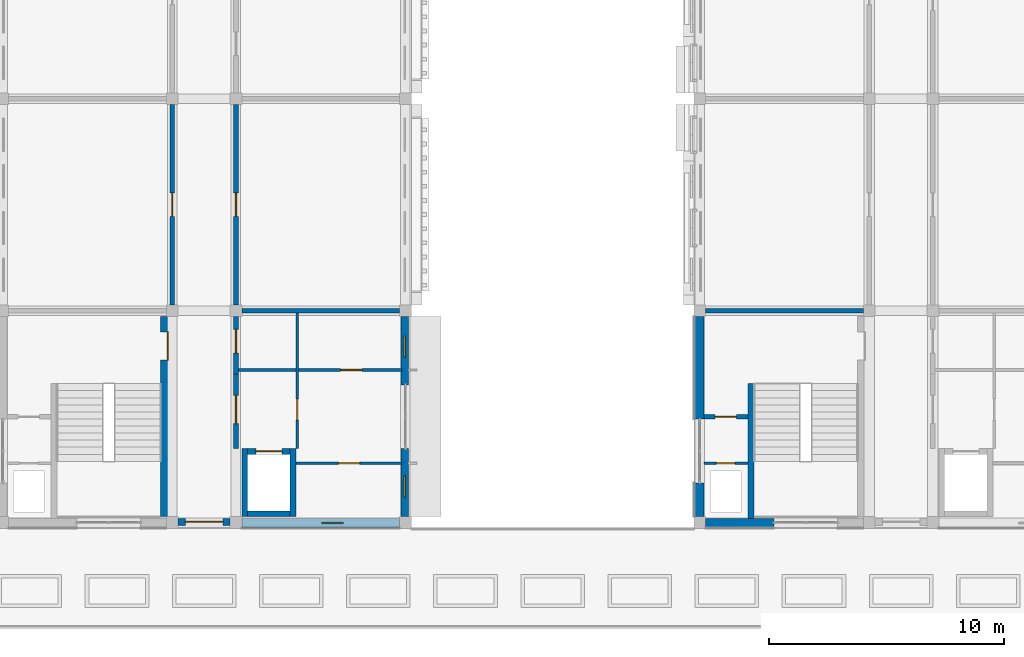
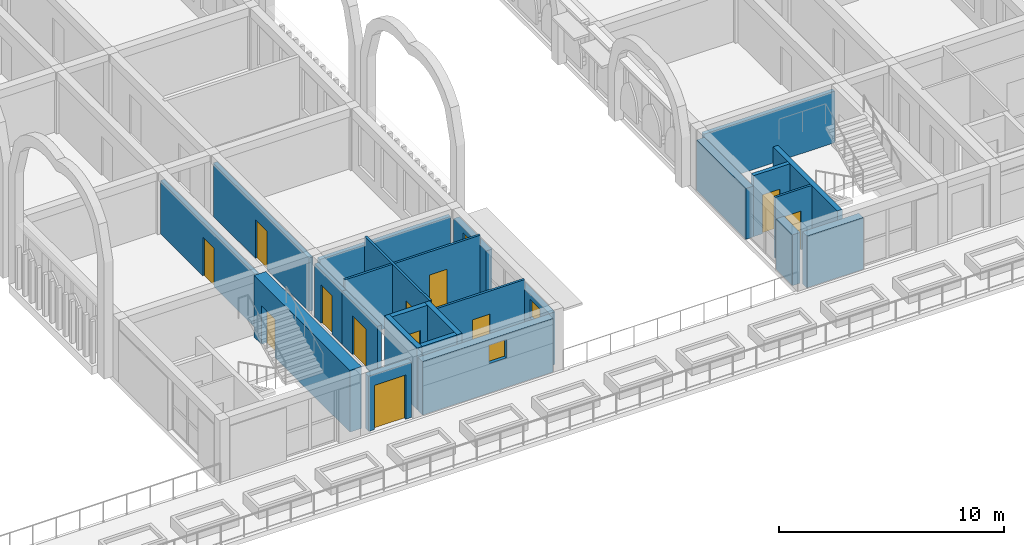
# One storey, part 54 of 82: 24 walls, 12 doors, 3 windows, 15 openings.
"""IFC4 building model written with IfcOpenShell, lengths in metres."""

from ifc_helpers import new_model, si_unit, direction, frame, frame_2d, origin, place, context, subcontext, project, spatial, rectangle, extrude, material, layer, layer_set, type_object, element, fill, save


model = new_model("IFC4")

# Units and contexts
model_context = context("Model", 3, precision=1e-05, world=origin(), true_north=direction((0.0, 1.0)))
body_context = subcontext(model_context, "Body", "Model", "MODEL_VIEW")
ifc_project = project(units=[si_unit("LENGTHUNIT", "METRE"), si_unit("AREAUNIT", "SQUARE_METRE"), si_unit("VOLUMEUNIT", "CUBIC_METRE"), si_unit("PLANEANGLEUNIT", "RADIAN"), si_unit("MASSUNIT", "GRAM", prefix="KILO")], contexts=[model_context])

# Site, building, storey
site_placement = place(None, origin())
site = spatial("IfcSite", under=ifc_project, at=site_placement, CompositionType="ELEMENT")
building_placement = place(site_placement, origin())
building = spatial("IfcBuilding", under=site, at=building_placement, Name="Elbe Cascade School", CompositionType="ELEMENT")
storey_placement = place(building_placement, frame((0.0, 0.0, 4.5)))
storey = spatial("IfcBuildingStorey", under=building, at=storey_placement, Name="L01", CompositionType="ELEMENT", Elevation=4.5)

# Wall, opening, door
ifc_material_1 = material(Name="Masonry - lime-sand block, plastered", Category="masonry")
ifc_layer_1 = layer(ifc_material_1, 0.199951171875)
ifc_layer_set_1 = layer_set([ifc_layer_1], Name="Masonry - lime-sand block, plastered")
wall_type_1 = type_object("IfcWallType", Name="Bar corridor wall lime-sand block 200 EI 30", PredefinedType="PARTITIONING", material=ifc_layer_set_1)
wall_1_placement = place(storey_placement, frame((138.10009765625, 12.300048828125, 0.0), z_axis=(0.0, 0.0, 1.0), x_axis=(0.0, -1.0, 0.0)))
wall_1 = element("IfcWall", 1, at=wall_1_placement, inside=storey, type_object=wall_type_1, Name="Bar corridor wall lime-sand block 200 EI 30", PredefinedType="PARTITIONING", context=body_context, shape_type="SweptSolid", body=[
    extrude(rectangle(XDim=3.150146484375, YDim=0.199951171875, at=frame_2d((1.5751953125, 0.0))), origin(), (0.0, 0.0, 1.0), 2.89990234375),
])
opening_1_placement = place(wall_1_placement, frame((0.89990234375, 0.0, 0.0)))
opening_1 = element("IfcOpeningElement", 2, at=opening_1_placement, cuts=wall_1, Name="Opening D1.061", PredefinedType="OPENING", context=body_context, shape_type="SweptSolid", body=[
    extrude(rectangle(XDim=1.199951171875, YDim=2.10009765625, at=frame_2d((0.60009765625, 1.050048828125))), frame((0.0, 0.10986328125, 0.0), z_axis=(0.0, -1.0, 0.0), x_axis=(1.0, 0.0, 0.0)), (0.0, 0.0, 1.0), 0.219970703125),
])
ifc_material_2 = material(Name="Timber door leaf, fire-resisting and smoke-tight, steel frame", Category="steel")
door_type_1 = type_object("IfcDoorType", Name="Bar door FD30S 1200x2100", OperationType="NOTDEFINED", PredefinedType="DOOR", material=ifc_material_2)
door_1_placement = place(opening_1_placement, origin())
door_1 = element("IfcDoor", 3, at=door_1_placement, inside=storey, type_object=door_type_1, Name="Door C1.06", OperationType="SINGLE_SWING_LEFT", OverallHeight=2.10009765625, OverallWidth=1.199951171875, PredefinedType="DOOR", context=body_context, shape_type="SweptSolid", body=[
    extrude(rectangle(XDim=1.199951171875, YDim=2.10009765625, at=frame_2d((0.60009765625, 1.050048828125))), frame((0.0, 0.02490234375, 0.0), z_axis=(0.0, -1.0, 0.0), x_axis=(1.0, 0.0, 0.0)), (0.0, 0.0, 1.0), 0.050048828125),
])
fill(opening_1, door_1)

wall_2_placement = place(storey_placement, frame((138.10009765625, 12.300048828125, 0.0), z_axis=(0.0, 0.0, 1.0), x_axis=(0.0, 1.0, 0.0)))
wall_2 = element("IfcWall", 4, at=wall_2_placement, inside=storey, type_object=wall_type_1, Name="Bar corridor wall lime-sand block 200 EI 30", PredefinedType="PARTITIONING", context=body_context, shape_type="SweptSolid", body=[
    extrude(rectangle(XDim=2.449951171875, YDim=0.199951171875, at=frame_2d((1.22509765625, 0.0))), origin(), (0.0, 0.0, 1.0), 2.89990234375),
])
opening_2_placement = place(wall_2_placement, frame((0.89990234375, 0.0, 0.0)))
opening_2 = element("IfcOpeningElement", 5, at=opening_2_placement, cuts=wall_2, Name="Opening D1.065", PredefinedType="OPENING", context=body_context, shape_type="SweptSolid", body=[
    extrude(rectangle(XDim=1.0, YDim=2.10009765625, at=frame_2d((0.5, 1.050048828125))), frame((0.0, 0.10986328125, 0.0), z_axis=(0.0, -1.0, 0.0), x_axis=(1.0, 0.0, 0.0)), (0.0, 0.0, 1.0), 0.219970703125),
])
ifc_material_3 = material(Name="Timber door leaf, fire-resisting, steel frame", Category="steel")
door_type_2 = type_object("IfcDoorType", Name="Bar door FD30 1000x2100", OperationType="NOTDEFINED", PredefinedType="DOOR", material=ifc_material_3)
door_2_placement = place(opening_2_placement, origin())
door_2 = element("IfcDoor", 6, at=door_2_placement, inside=storey, type_object=door_type_2, Name="Door C1.10", OperationType="SINGLE_SWING_RIGHT", OverallHeight=2.10009765625, OverallWidth=1.0, PredefinedType="DOOR", context=body_context, shape_type="SweptSolid", body=[
    extrude(rectangle(XDim=1.0, YDim=2.10009765625, at=frame_2d((0.5, 1.050048828125))), frame((0.0, 0.02490234375, 0.0), z_axis=(0.0, -1.0, 0.0), x_axis=(1.0, 0.0, 0.0)), (0.0, 0.0, 1.0), 0.050048828125),
])
fill(opening_2, door_2)

wall_3_placement = place(storey_placement, frame((135.39990234375, 15.25, 0.0), z_axis=(0.0, 0.0, 1.0), x_axis=(0.0, 1.0, 0.0)))
wall_3 = element("IfcWall", 7, at=wall_3_placement, inside=storey, type_object=wall_type_1, Name="Bar corridor wall lime-sand block 200 EI 30", PredefinedType="PARTITIONING", context=body_context, shape_type="SweptSolid", body=[
    extrude(rectangle(XDim=8.5, YDim=0.199951171875, at=frame_2d((4.25, 0.0))), origin(), (0.0, 0.0, 1.0), 2.89990234375),
])
opening_3_placement = place(wall_3_placement, frame((3.75, 0.0, 0.0)))
opening_3 = element("IfcOpeningElement", 8, at=opening_3_placement, cuts=wall_3, Name="Opening D1.066", PredefinedType="OPENING", context=body_context, shape_type="SweptSolid", body=[
    extrude(rectangle(XDim=1.0, YDim=2.10009765625, at=frame_2d((0.5, 1.050048828125))), frame((0.0, 0.10986328125, 0.0), z_axis=(0.0, -1.0, 0.0), x_axis=(1.0, 0.0, 0.0)), (0.0, 0.0, 1.0), 0.219970703125),
])
door_3_placement = place(opening_3_placement, origin())
door_3 = element("IfcDoor", 9, at=door_3_placement, inside=storey, type_object=door_type_2, Name="Door C1.19", OperationType="SINGLE_SWING_RIGHT", OverallHeight=2.10009765625, OverallWidth=1.0, PredefinedType="DOOR", context=body_context, shape_type="SweptSolid", body=[
    extrude(rectangle(XDim=1.0, YDim=2.10009765625, at=frame_2d((0.5, 1.050048828125))), frame((0.0, 0.02490234375, 0.0), z_axis=(0.0, -1.0, 0.0), x_axis=(1.0, 0.0, 0.0)), (0.0, 0.0, 1.0), 0.050048828125),
])
fill(opening_3, door_3)

wall_4_placement = place(storey_placement, frame((138.10009765625, 23.75, 0.0), z_axis=(0.0, 0.0, 1.0), x_axis=(0.0, -1.0, 0.0)))
wall_4 = element("IfcWall", 10, at=wall_4_placement, inside=storey, type_object=wall_type_1, Name="Bar corridor wall lime-sand block 200 EI 30", PredefinedType="PARTITIONING", context=body_context, shape_type="SweptSolid", body=[
    extrude(rectangle(XDim=8.5, YDim=0.199951171875, at=frame_2d((4.25, 0.0))), origin(), (0.0, 0.0, 1.0), 2.89990234375),
])
opening_4_placement = place(wall_4_placement, frame((3.75, 0.0, 0.0)))
opening_4 = element("IfcOpeningElement", 11, at=opening_4_placement, cuts=wall_4, Name="Opening D1.067", PredefinedType="OPENING", context=body_context, shape_type="SweptSolid", body=[
    extrude(rectangle(XDim=1.0, YDim=2.10009765625, at=frame_2d((0.5, 1.050048828125))), frame((0.0, 0.10986328125, 0.0), z_axis=(0.0, -1.0, 0.0), x_axis=(1.0, 0.0, 0.0)), (0.0, 0.0, 1.0), 0.219970703125),
])
door_4_placement = place(opening_4_placement, origin())
door_4 = element("IfcDoor", 12, at=door_4_placement, inside=storey, type_object=door_type_2, Name="Door C1.24", OperationType="SINGLE_SWING_LEFT", OverallHeight=2.10009765625, OverallWidth=1.0, PredefinedType="DOOR", context=body_context, shape_type="SweptSolid", body=[
    extrude(rectangle(XDim=1.0, YDim=2.10009765625, at=frame_2d((0.5, 1.050048828125))), frame((0.0, 0.02490234375, 0.0), z_axis=(0.0, -1.0, 0.0), x_axis=(1.0, 0.0, 0.0)), (0.0, 0.0, 1.0), 0.050048828125),
])
fill(opening_4, door_4)

ifc_material_4 = material(Name="Masonry - lime-sand block, plastered", Category="masonry")
ifc_layer_2 = layer(ifc_material_4, 0.114990234375)
ifc_layer_set_2 = layer_set([ifc_layer_2], Name="Masonry - lime-sand block, plastered")
wall_type_2 = type_object("IfcWallType", Name="Bar light partition wall lime-sand block 115", PredefinedType="PARTITIONING", material=ifc_layer_set_2)
wall_5_placement = place(storey_placement, frame((140.70751953125, 14.89990234375, 0.0), z_axis=(0.0, 0.0, 1.0), x_axis=(0.0, -1.0, 0.0)))
wall_5 = element("IfcWall", 13, at=wall_5_placement, inside=storey, type_object=wall_type_2, Name="Bar light partition wall lime-sand block 115", PredefinedType="PARTITIONING", context=body_context, shape_type="SweptSolid", body=[
    extrude(rectangle(XDim=5.75, YDim=0.114990234375, at=frame_2d((2.875, 0.0))), origin(), (0.0, 0.0, 1.0), 3.35009765625),
])
opening_5_placement = place(wall_5_placement, frame((3.64990234375, 0.0, 0.0)))
opening_5 = element("IfcOpeningElement", 14, at=opening_5_placement, cuts=wall_5, Name="Opening D1.062", PredefinedType="OPENING", context=body_context, shape_type="SweptSolid", body=[
    extrude(rectangle(XDim=0.89990234375, YDim=2.10009765625, at=frame_2d((0.449951171875, 1.050048828125))), frame((0.0, 0.0673828125, 0.0), z_axis=(0.0, -1.0, 0.0), x_axis=(1.0, 0.0, 0.0)), (0.0, 0.0, 1.0), 0.135009765625),
])
ifc_material_5 = material(Name="Timber door leaf, steel frame", Category="steel")
door_type_3 = type_object("IfcDoorType", Name="Bar door 900x2100", OperationType="NOTDEFINED", PredefinedType="DOOR", material=ifc_material_5)
door_5_placement = place(opening_5_placement, origin())
door_5 = element("IfcDoor", 15, at=door_5_placement, inside=storey, type_object=door_type_3, Name="Door C1.07", OperationType="SINGLE_SWING_LEFT", OverallHeight=2.10009765625, OverallWidth=0.89990234375, PredefinedType="DOOR", context=body_context, shape_type="SweptSolid", body=[
    extrude(rectangle(XDim=0.89990234375, YDim=2.10009765625, at=frame_2d((0.449951171875, 1.050048828125))), frame((0.0, 0.02490234375, 0.0), z_axis=(0.0, -1.0, 0.0), x_axis=(1.0, 0.0, 0.0)), (0.0, 0.0, 1.0), 0.050048828125),
])
fill(opening_5, door_5)

wall_6_placement = place(storey_placement, frame((145.14990234375, 8.52001953125, 0.0), z_axis=(0.0, 0.0, 1.0), x_axis=(-1.0, 0.0, 0.0)))
wall_6 = element("IfcWall", 16, at=wall_6_placement, inside=storey, type_object=wall_type_2, Name="Bar light partition wall lime-sand block 115", PredefinedType="PARTITIONING", context=body_context, shape_type="SweptSolid", body=[
    extrude(rectangle(XDim=4.5, YDim=0.114990234375, at=frame_2d((2.25, 0.0))), origin(), (0.0, 0.0, 1.0), 3.35009765625),
])
opening_6_placement = place(wall_6_placement, frame((1.800048828125, 0.0, 0.0)))
opening_6 = element("IfcOpeningElement", 17, at=opening_6_placement, cuts=wall_6, Name="Opening D1.058", PredefinedType="OPENING", context=body_context, shape_type="SweptSolid", body=[
    extrude(rectangle(XDim=0.89990234375, YDim=2.10009765625, at=frame_2d((0.449951171875, 1.050048828125))), frame((0.0, 0.0673828125, 0.0), z_axis=(0.0, -1.0, 0.0), x_axis=(1.0, 0.0, 0.0)), (0.0, 0.0, 1.0), 0.135009765625),
])
door_6_placement = place(opening_6_placement, origin())
door_6 = element("IfcDoor", 18, at=door_6_placement, inside=storey, type_object=door_type_3, Name="Door C1.08", OperationType="SINGLE_SWING_LEFT", OverallHeight=2.10009765625, OverallWidth=0.89990234375, PredefinedType="DOOR", context=body_context, shape_type="SweptSolid", body=[
    extrude(rectangle(XDim=0.89990234375, YDim=2.10009765625, at=frame_2d((0.449951171875, 1.050048828125))), frame((0.0, 0.02490234375, 0.0), z_axis=(0.0, -1.0, 0.0), x_axis=(1.0, 0.0, 0.0)), (0.0, 0.0, 1.0), 0.050048828125),
])
fill(opening_6, door_6)

wall_7_placement = place(storey_placement, frame((138.199951171875, 12.47998046875, 0.0), z_axis=(0.0, 0.0, 1.0), x_axis=(1.0, 0.0, 0.0)))
wall_7 = element("IfcWall", 19, at=wall_7_placement, inside=storey, type_object=wall_type_2, Name="Bar light partition wall lime-sand block 115", PredefinedType="PARTITIONING", context=body_context, shape_type="SweptSolid", body=[
    extrude(rectangle(XDim=6.949951171875, YDim=0.114990234375, at=frame_2d((3.47509765625, 0.0))), origin(), (0.0, 0.0, 1.0), 3.35009765625),
])
opening_7_placement = place(wall_7_placement, frame((4.35009765625, 0.0, 0.0)))
opening_7 = element("IfcOpeningElement", 20, at=opening_7_placement, cuts=wall_7, Name="Opening D1.063", PredefinedType="OPENING", context=body_context, shape_type="SweptSolid", body=[
    extrude(rectangle(XDim=0.89990234375, YDim=2.10009765625, at=frame_2d((0.449951171875, 1.050048828125))), frame((0.0, 0.0673828125, 0.0), z_axis=(0.0, -1.0, 0.0), x_axis=(1.0, 0.0, 0.0)), (0.0, 0.0, 1.0), 0.135009765625),
])
door_7_placement = place(opening_7_placement, origin())
door_7 = element("IfcDoor", 21, at=door_7_placement, inside=storey, type_object=door_type_3, Name="Door C1.09", OperationType="SINGLE_SWING_RIGHT", OverallHeight=2.10009765625, OverallWidth=0.89990234375, PredefinedType="DOOR", context=body_context, shape_type="SweptSolid", body=[
    extrude(rectangle(XDim=0.89990234375, YDim=2.10009765625, at=frame_2d((0.449951171875, 1.050048828125))), frame((0.0, 0.02490234375, 0.0), z_axis=(0.0, -1.0, 0.0), x_axis=(1.0, 0.0, 0.0)), (0.0, 0.0, 1.0), 0.050048828125),
])
fill(opening_7, door_7)

wall_8_placement = place(storey_placement, frame((159.85009765625, 8.52001953125, 0.0), z_axis=(0.0, 0.0, 1.0), x_axis=(-1.0, 0.0, 0.0)))
wall_8 = element("IfcWall", 22, at=wall_8_placement, inside=storey, type_object=wall_type_2, Name="Bar light partition wall lime-sand block 115", PredefinedType="PARTITIONING", context=body_context, shape_type="SweptSolid", body=[
    extrude(rectangle(XDim=1.8701171875, YDim=0.114990234375, at=frame_2d((0.93505859375, 0.0))), origin(), (0.0, 0.0, 1.0), 3.300048828125),
])
opening_8_placement = place(wall_8_placement, frame((0.550048828125, 0.0, 0.0)))
opening_8 = element("IfcOpeningElement", 23, at=opening_8_placement, cuts=wall_8, Name="Opening D1.084", PredefinedType="OPENING", context=body_context, shape_type="SweptSolid", body=[
    extrude(rectangle(XDim=0.800048828125, YDim=2.10009765625, at=frame_2d((0.39990234375, 1.050048828125))), frame((0.0, 0.0673828125, 0.0), z_axis=(0.0, -1.0, 0.0), x_axis=(1.0, 0.0, 0.0)), (0.0, 0.0, 1.0), 0.135009765625),
])
ifc_material_6 = material(Name="Timber door leaf, steel frame", Category="steel")
door_type_4 = type_object("IfcDoorType", Name="Bar door 800x2100", OperationType="NOTDEFINED", PredefinedType="DOOR", material=ifc_material_6)
door_8_placement = place(opening_8_placement, origin())
door_8 = element("IfcDoor", 24, at=door_8_placement, inside=storey, type_object=door_type_4, Name="Door D1.05", OperationType="SINGLE_SWING_LEFT", OverallHeight=2.10009765625, OverallWidth=0.800048828125, PredefinedType="DOOR", context=body_context, shape_type="SweptSolid", body=[
    extrude(rectangle(XDim=0.800048828125, YDim=2.10009765625, at=frame_2d((0.39990234375, 1.050048828125))), frame((0.0, 0.02490234375, 0.0), z_axis=(0.0, -1.0, 0.0), x_axis=(1.0, 0.0, 0.0)), (0.0, 0.0, 1.0), 0.050048828125),
])
fill(opening_8, door_8)

# Walls
ifc_material_7 = material(Name="Masonry - lime-sand block, plastered", Category="masonry")
ifc_layer_3 = layer(ifc_material_7, 0.199951171875)
ifc_layer_set_3 = layer_set([ifc_layer_3], Name="Masonry - lime-sand block, plastered")
wall_type_3 = type_object("IfcWallType", Name="Bar partition wall lime-sand block 200", PredefinedType="PARTITIONING", material=ifc_layer_set_3)
wall_9_placement = place(storey_placement, frame((138.35009765625, 15.0, 0.0), z_axis=(0.0, 0.0, 1.0), x_axis=(1.0, 0.0, 0.0)))
element("IfcWall", 25, at=wall_9_placement, inside=storey, type_object=wall_type_3, Name="Bar partition wall lime-sand block 200", PredefinedType="PARTITIONING", context=body_context, shape_type="SweptSolid", body=[
    extrude(rectangle(XDim=6.699951171875, YDim=0.199951171875, at=frame_2d((3.35009765625, 0.0))), origin(), (0.0, 0.0, 1.0), 2.89990234375),
])
ifc_material_8 = material(Name="Concrete C30/37", Category="concrete")
ifc_layer_4 = layer(ifc_material_8, 0.25)
ifc_layer_set_4 = layer_set([ifc_layer_4], Name="Concrete C30/37")
wall_type_4 = type_object("IfcWallType", Name="Bar stair core wall RC 250", PredefinedType="SOLIDWALL", material=ifc_layer_set_4)
wall_10_placement = place(storey_placement, frame((159.97509765625, 6.179931640625, 0.0), z_axis=(0.0, 0.0, 1.0), x_axis=(0.0, 1.0, 0.0)))
element("IfcWall", 26, at=wall_10_placement, inside=storey, type_object=wall_type_4, Name="Bar stair core wall RC 250", PredefinedType="SOLIDWALL", context=body_context, shape_type="SweptSolid", body=[
    extrude(rectangle(XDim=5.719970703125, YDim=0.25, at=frame_2d((2.85986328125, 0.0))), origin(), (0.0, 0.0, 1.0), 3.300048828125),
])

# Wall, opening, door
ifc_material_9 = material(Name="Concrete C30/37", Category="concrete")
ifc_layer_5 = layer(ifc_material_9, 0.60009765625)
ifc_layer_set_5 = layer_set([ifc_layer_5], Name="Concrete C30/37")
wall_type_5 = type_object("IfcWallType", Name="Bar stair core wall RC 600", PredefinedType="SOLIDWALL", material=ifc_layer_set_5)
wall_11_placement = place(storey_placement, frame((135.199951171875, 6.25, 0.0), z_axis=(0.0, 0.0, 1.0), x_axis=(0.0, 1.0, 0.0)))
wall_11 = element("IfcWall", 27, at=wall_11_placement, inside=storey, type_object=wall_type_5, Name="Bar stair core wall RC 600", PredefinedType="SOLIDWALL", context=body_context, shape_type="SweptSolid", body=[
    extrude(rectangle(XDim=8.5, YDim=0.60009765625, at=frame_2d((4.25, 0.0))), origin(), (0.0, 0.0, 1.0), 3.35009765625),
])
opening_9_placement = place(wall_11_placement, frame((6.64990234375, 0.0, 0.0)))
opening_9 = element("IfcOpeningElement", 28, at=opening_9_placement, cuts=wall_11, Name="Opening D1.064", PredefinedType="OPENING", context=body_context, shape_type="SweptSolid", body=[
    extrude(rectangle(XDim=1.199951171875, YDim=2.10009765625, at=frame_2d((0.60009765625, 1.050048828125))), frame((0.0, 0.31005859375, 0.0), z_axis=(0.0, -1.0, 0.0), x_axis=(1.0, 0.0, 0.0)), (0.0, 0.0, 1.0), 0.6201171875),
])
door_9_placement = place(opening_9_placement, origin())
door_9 = element("IfcDoor", 29, at=door_9_placement, inside=storey, type_object=door_type_1, Name="Door C1.03", OperationType="SINGLE_SWING_RIGHT", OverallHeight=2.10009765625, OverallWidth=1.199951171875, PredefinedType="DOOR", context=body_context, shape_type="SweptSolid", body=[
    extrude(rectangle(XDim=1.199951171875, YDim=2.10009765625, at=frame_2d((0.60009765625, 1.050048828125))), frame((0.0, 0.02490234375, 0.0), z_axis=(0.0, -1.0, 0.0), x_axis=(1.0, 0.0, 0.0)), (0.0, 0.0, 1.0), 0.050048828125),
])
fill(opening_9, door_9)

ifc_material_10 = material(Name="Concrete C30/37", Category="concrete")
ifc_layer_6 = layer(ifc_material_10, 0.199951171875)
ifc_layer_set_6 = layer_set([ifc_layer_6], Name="Concrete C30/37")
wall_type_6 = type_object("IfcWallType", Name="Bar stair lobby wall RC 200", PredefinedType="SOLIDWALL", material=ifc_layer_set_6)
wall_12_placement = place(storey_placement, frame((159.85009765625, 10.5, 0.0), z_axis=(0.0, 0.0, 1.0), x_axis=(-1.0, 0.0, 0.0)))
wall_12 = element("IfcWall", 30, at=wall_12_placement, inside=storey, type_object=wall_type_6, Name="Bar stair lobby wall RC 200", PredefinedType="SOLIDWALL", context=body_context, shape_type="SweptSolid", body=[
    extrude(rectangle(XDim=1.8701171875, YDim=0.199951171875, at=frame_2d((0.93505859375, 0.0))), origin(), (0.0, 0.0, 1.0), 3.300048828125),
])
opening_10_placement = place(wall_12_placement, frame((0.5, 0.0, 0.0)))
opening_10 = element("IfcOpeningElement", 31, at=opening_10_placement, cuts=wall_12, Name="Opening D1.087", PredefinedType="OPENING", context=body_context, shape_type="SweptSolid", body=[
    extrude(rectangle(XDim=0.89990234375, YDim=2.10009765625, at=frame_2d((0.449951171875, 1.050048828125))), frame((0.0, 0.10986328125, 0.0), z_axis=(0.0, -1.0, 0.0), x_axis=(1.0, 0.0, 0.0)), (0.0, 0.0, 1.0), 0.219970703125),
])
ifc_material_11 = material(Name="Timber door leaf, fire-resisting and smoke-tight, steel frame", Category="steel")
door_type_5 = type_object("IfcDoorType", Name="Bar door FD30S 900x2100", OperationType="NOTDEFINED", PredefinedType="DOOR", material=ifc_material_11)
door_10_placement = place(opening_10_placement, origin())
door_10 = element("IfcDoor", 32, at=door_10_placement, inside=storey, type_object=door_type_5, Name="Door D1.04", OperationType="SINGLE_SWING_RIGHT", OverallHeight=2.10009765625, OverallWidth=0.89990234375, PredefinedType="DOOR", context=body_context, shape_type="SweptSolid", body=[
    extrude(rectangle(XDim=0.89990234375, YDim=2.10009765625, at=frame_2d((0.449951171875, 1.050048828125))), frame((0.0, 0.02490234375, 0.0), z_axis=(0.0, -1.0, 0.0), x_axis=(1.0, 0.0, 0.0)), (0.0, 0.0, 1.0), 0.050048828125),
])
fill(opening_10, door_10)

# Wall
wall_13_placement = place(storey_placement, frame((158.050048828125, 15.0, 0.0), z_axis=(0.0, 0.0, 1.0), x_axis=(1.0, 0.0, 0.0)))
element("IfcWall", 33, at=wall_13_placement, inside=storey, type_object=wall_type_6, Name="Bar stair lobby wall RC 200", PredefinedType="SOLIDWALL", context=body_context, shape_type="SweptSolid", body=[
    extrude(rectangle(XDim=6.699951171875, YDim=0.199951171875, at=frame_2d((3.35009765625, 0.0))), origin(), (0.0, 0.0, 1.0), 2.800048828125),
])

# Wall, opening, window
ifc_material_12 = material(Name="Brick masonry - red clinker, cavity wall with render backing", Category="masonry")
ifc_layer_7 = layer(ifc_material_12, 0.300048828125)
ifc_layer_set_7 = layer_set([ifc_layer_7], Name="Brick masonry - red clinker, cavity wall with render backing")
wall_type_7 = type_object("IfcWallType", Name="Bars envelope External wall - clinker brick cavity, 300 upper floors", PredefinedType="STANDARD", material=ifc_layer_set_7)
wall_14_placement = place(storey_placement, frame((145.27001953125, 9.14990234375, 0.0), z_axis=(0.0, 0.0, 1.0), x_axis=(0.0, -1.0, 0.0)))
wall_14 = element("IfcWall", 34, at=wall_14_placement, inside=storey, type_object=wall_type_7, Name="External wall W30 C.L01.e1a", PredefinedType="STANDARD", context=body_context, shape_type="SweptSolid", body=[
    extrude(rectangle(XDim=2.89990234375, YDim=0.300048828125, at=frame_2d((1.449951171875, 0.0))), origin(), (0.0, 0.0, 1.0), 2.85009765625),
])
opening_11_placement = place(wall_14_placement, frame((1.169921875, 0.0, 1.60009765625)))
opening_11 = element("IfcOpeningElement", 35, at=opening_11_placement, cuts=wall_14, Name="Opening W1.064", PredefinedType="OPENING", context=body_context, shape_type="SweptSolid", body=[
    extrude(rectangle(XDim=0.89990234375, YDim=1.0, at=frame_2d((0.449951171875, 0.5))), frame((0.0, 0.159912109375, 0.0), z_axis=(0.0, -1.0, 0.0), x_axis=(1.0, 0.0, 0.0)), (0.0, 0.0, 1.0), 0.320068359375),
])
ifc_material_13 = material(Name="Aluminium frame with double glazing, bronze anodised", Category="aluminium")
window_type = type_object("IfcWindowType", Name="Bars envelope Window 900 x 1000, WC and service room, high level, aluminium double glazed", PartitioningType="SINGLE_PANEL", PredefinedType="WINDOW", material=ifc_material_13)
window_1_placement = place(opening_11_placement, origin())
window_1 = element("IfcWindow", 36, at=window_1_placement, inside=storey, type_object=window_type, Name="Window WN4 C.L01.e1a.1", OverallHeight=1.0, OverallWidth=0.89990234375, PartitioningType="SINGLE_PANEL", PredefinedType="WINDOW", context=body_context, shape_type="SweptSolid", body=[
    extrude(rectangle(XDim=0.89990234375, YDim=1.0, at=frame_2d((0.449951171875, 0.5))), frame((0.0, 0.030029296875, 0.0), z_axis=(0.0, -1.0, 0.0), x_axis=(1.0, 0.0, 0.0)), (0.0, 0.0, 1.0), 0.06005859375),
])
fill(opening_11, window_1)

wall_15_placement = place(storey_placement, frame((145.27001953125, 14.75, 0.0), z_axis=(0.0, 0.0, 1.0), x_axis=(0.0, -1.0, 0.0)))
wall_15 = element("IfcWall", 37, at=wall_15_placement, inside=storey, type_object=wall_type_7, Name="External wall W30 C.L01.e1b", PredefinedType="STANDARD", context=body_context, shape_type="SweptSolid", body=[
    extrude(rectangle(XDim=2.89990234375, YDim=0.300048828125, at=frame_2d((1.449951171875, 0.0))), origin(), (0.0, 0.0, 1.0), 2.85009765625),
])
opening_12_placement = place(wall_15_placement, frame((0.830078125, 0.0, 1.60009765625)))
opening_12 = element("IfcOpeningElement", 38, at=opening_12_placement, cuts=wall_15, Name="Opening W1.065", PredefinedType="OPENING", context=body_context, shape_type="SweptSolid", body=[
    extrude(rectangle(XDim=0.89990234375, YDim=1.0, at=frame_2d((0.449951171875, 0.5))), frame((0.0, 0.159912109375, 0.0), z_axis=(0.0, -1.0, 0.0), x_axis=(1.0, 0.0, 0.0)), (0.0, 0.0, 1.0), 0.320068359375),
])
window_2_placement = place(opening_12_placement, origin())
window_2 = element("IfcWindow", 39, at=window_2_placement, inside=storey, type_object=window_type, Name="Window WN4 C.L01.e1b.1", OverallHeight=1.0, OverallWidth=0.89990234375, PartitioningType="SINGLE_PANEL", PredefinedType="WINDOW", context=body_context, shape_type="SweptSolid", body=[
    extrude(rectangle(XDim=0.89990234375, YDim=1.0, at=frame_2d((0.449951171875, 0.5))), frame((0.0, 0.030029296875, 0.0), z_axis=(0.0, -1.0, 0.0), x_axis=(1.0, 0.0, 0.0)), (0.0, 0.0, 1.0), 0.06005859375),
])
fill(opening_12, window_2)

# Wall, opening, door
wall_16_placement = place(storey_placement, frame((137.85009765625, 6.030029296875, 0.0), z_axis=(0.0, 0.0, 1.0), x_axis=(-1.0, 0.0, 0.0)))
wall_16 = element("IfcWall", 40, at=wall_16_placement, inside=storey, type_object=wall_type_7, Name="External wall W30 C.L01.s2", PredefinedType="STANDARD", context=body_context, shape_type="SweptSolid", body=[
    extrude(rectangle(XDim=2.2001953125, YDim=0.300048828125, at=frame_2d((1.10009765625, 0.0))), origin(), (0.0, 0.0, 1.0), 3.0),
])
opening_13_placement = place(wall_16_placement, frame((0.300048828125, 0.0, 0.0)))
opening_13 = element("IfcOpeningElement", 41, at=opening_13_placement, cuts=wall_16, Name="Opening D1.056", PredefinedType="OPENING", context=body_context, shape_type="SweptSolid", body=[
    extrude(rectangle(XDim=1.60009765625, YDim=2.39990234375, at=frame_2d((0.800048828125, 1.199951171875))), frame((0.0, 0.159912109375, 0.0), z_axis=(0.0, -1.0, 0.0), x_axis=(1.0, 0.0, 0.0)), (0.0, 0.0, 1.0), 0.320068359375),
])
ifc_material_14 = material(Name="Aluminium and glass fire-resisting door set", Category="aluminium")
door_type_6 = type_object("IfcDoorType", Name="Bars envelope Terrace door, double leaf, glazed, 1600 x 2400, fire resisting", OperationType="DOUBLE_DOOR_SINGLE_SWING", PredefinedType="DOOR", material=ifc_material_14)
door_11_placement = place(opening_13_placement, origin())
door_11 = element("IfcDoor", 42, at=door_11_placement, inside=storey, type_object=door_type_6, Name="Terrace door D17 C.L01.s2", OperationType="DOUBLE_DOOR_SINGLE_SWING", OverallHeight=2.39990234375, OverallWidth=1.60009765625, PredefinedType="DOOR", context=body_context, shape_type="SweptSolid", body=[
    extrude(rectangle(XDim=1.60009765625, YDim=2.39990234375, at=frame_2d((0.800048828125, 1.199951171875))), frame((0.0, 0.02490234375, 0.0), z_axis=(0.0, -1.0, 0.0), x_axis=(1.0, 0.0, 0.0)), (0.0, 0.0, 1.0), 0.050048828125),
])
fill(opening_13, door_11)

# Wall, opening, window
ifc_material_15 = material(Name="Brick masonry - red clinker, solid, sandstone-faced", Category="masonry")
ifc_layer_8 = layer(ifc_material_15, 0.39990234375)
ifc_layer_set_8 = layer_set([ifc_layer_8], Name="Brick masonry - red clinker, solid, sandstone-faced")
wall_type_8 = type_object("IfcWallType", Name="Bars envelope External wall - solid masonry core strip, sandstone faced, 400", PredefinedType="STANDARD", material=ifc_layer_set_8)
wall_17_placement = place(storey_placement, frame((145.050048828125, 5.97998046875, 0.0), z_axis=(0.0, 0.0, 1.0), x_axis=(-1.0, 0.0, 0.0)))
wall_17 = element("IfcWall", 43, at=wall_17_placement, inside=storey, type_object=wall_type_8, Name="External wall W31 C.L01.s3", PredefinedType="STANDARD", context=body_context, shape_type="SweptSolid", body=[
    extrude(rectangle(XDim=6.699951171875, YDim=0.39990234375, at=frame_2d((3.35009765625, 0.0))), origin(), (0.0, 0.0, 1.0), 2.89990234375),
])
opening_14_placement = place(wall_17_placement, frame((2.39990234375, 0.0, 1.60009765625)))
opening_14 = element("IfcOpeningElement", 44, at=opening_14_placement, cuts=wall_17, Name="Opening W1.063", PredefinedType="OPENING", context=body_context, shape_type="SweptSolid", body=[
    extrude(rectangle(XDim=0.89990234375, YDim=1.0, at=frame_2d((0.449951171875, 0.5))), frame((0.0, 0.2099609375, 0.0), z_axis=(0.0, -1.0, 0.0), x_axis=(1.0, 0.0, 0.0)), (0.0, 0.0, 1.0), 0.419921875),
])
window_3_placement = place(opening_14_placement, origin())
window_3 = element("IfcWindow", 45, at=window_3_placement, inside=storey, type_object=window_type, Name="Window WN4 C.L01.s3.1", OverallHeight=1.0, OverallWidth=0.89990234375, PartitioningType="SINGLE_PANEL", PredefinedType="WINDOW", context=body_context, shape_type="SweptSolid", body=[
    extrude(rectangle(XDim=0.89990234375, YDim=1.0, at=frame_2d((0.449951171875, 0.5))), frame((0.0, 0.030029296875, 0.0), z_axis=(0.0, -1.0, 0.0), x_axis=(1.0, 0.0, 0.0)), (0.0, 0.0, 1.0), 0.06005859375),
])
fill(opening_14, window_3)

# Walls
wall_18_placement = place(storey_placement, frame((157.780029296875, 6.25, 0.0), z_axis=(0.0, 0.0, 1.0), x_axis=(0.0, 1.0, 0.0)))
element("IfcWall", 46, at=wall_18_placement, inside=storey, type_object=wall_type_8, Name="External wall W31 D.L01.w1a", PredefinedType="STANDARD", context=body_context, shape_type="SweptSolid", body=[
    extrude(rectangle(XDim=1.43994140625, YDim=0.39990234375, at=frame_2d((0.719970703125, 0.0))), origin(), (0.0, 0.0, 1.0), 2.75),
])
wall_19_placement = place(storey_placement, frame((157.780029296875, 10.389892578125, 0.0), z_axis=(0.0, 0.0, 1.0), x_axis=(0.0, 1.0, 0.0)))
element("IfcWall", 47, at=wall_19_placement, inside=storey, type_object=wall_type_8, Name="External wall W31 D.L01.w1b", PredefinedType="STANDARD", context=body_context, shape_type="SweptSolid", body=[
    extrude(rectangle(XDim=4.360107421875, YDim=0.39990234375, at=frame_2d((2.18017578125, 0.0))), origin(), (0.0, 0.0, 1.0), 2.75),
])
wall_20_placement = place(storey_placement, frame((160.949951171875, 5.97998046875, 0.0), z_axis=(0.0, 0.0, 1.0), x_axis=(-1.0, 0.0, 0.0)))
element("IfcWall", 48, at=wall_20_placement, inside=storey, type_object=wall_type_8, Name="External wall W31 D.L01.s1a", PredefinedType="STANDARD", context=body_context, shape_type="SweptSolid", body=[
    extrude(rectangle(XDim=2.89990234375, YDim=0.39990234375, at=frame_2d((1.449951171875, 0.0))), origin(), (0.0, 0.0, 1.0), 2.800048828125),
])
ifc_material_16 = material(Name="Concrete C30/37", Category="concrete")
ifc_layer_9 = layer(ifc_material_16, 0.25)
ifc_layer_set_9 = layer_set([ifc_layer_9], Name="Concrete C30/37")
wall_type_9 = type_object("IfcWallType", Name="Shaft wall 250", PredefinedType="SHEAR", material=ifc_layer_set_9)
for number, where, z_axis, x_axis, name in (
    (49, (138.47509765625, 6.25, 0.0), (0.0, 0.0, 1.0), (0.0, 1.0, 0.0), "Shaft wall 250 W1"),
    (50, (140.52490234375, 6.25, 0.0), (0.0, 0.0, 1.0), (0.0, 1.0, 0.0), "Shaft wall 250 W1"),
):
    element("IfcWall", number, at=place(storey_placement, frame(where, z_axis=z_axis, x_axis=x_axis)), inside=storey, type_object=wall_type_9, Name=name, PredefinedType="SHEAR", context=body_context, shape_type="SweptSolid", body=[
        extrude(rectangle(XDim=2.89990234375, YDim=0.25, at=frame_2d((1.449951171875, 0.0))), origin(), (0.0, 0.0, 1.0), 3.35009765625),
    ])
wall_21_placement = place(storey_placement, frame((138.60009765625, 6.375, 0.0), z_axis=(0.0, 0.0, 1.0), x_axis=(1.0, 0.0, 0.0)))
element("IfcWall", 51, at=wall_21_placement, inside=storey, type_object=wall_type_9, Name="Shaft wall 250 W1", PredefinedType="SHEAR", context=body_context, shape_type="SweptSolid", body=[
    extrude(rectangle(XDim=1.7998046875, YDim=0.25, at=frame_2d((0.89990234375, 0.0))), origin(), (0.0, 0.0, 1.0), 3.35009765625),
])

# Wall, opening, door
wall_22_placement = place(storey_placement, frame((138.60009765625, 9.02490234375, 0.0), z_axis=(0.0, 0.0, 1.0), x_axis=(1.0, 0.0, 0.0)))
wall_22 = element("IfcWall", 52, at=wall_22_placement, inside=storey, type_object=wall_type_9, Name="Shaft wall 250 W1", PredefinedType="SHEAR", context=body_context, shape_type="SweptSolid", body=[
    extrude(rectangle(XDim=1.7998046875, YDim=0.25, at=frame_2d((0.89990234375, 0.0))), origin(), (0.0, 0.0, 1.0), 3.35009765625),
])
opening_15_placement = place(wall_22_placement, frame((0.35009765625, 0.0, 0.0)))
opening_15 = element("IfcOpeningElement", 53, at=opening_15_placement, cuts=wall_22, Name="Opening D1.059", PredefinedType="OPENING", context=body_context, shape_type="SweptSolid", body=[
    extrude(rectangle(XDim=1.10009765625, YDim=2.10009765625, at=frame_2d((0.550048828125, 1.050048828125))), frame((0.0, 0.135009765625, 0.0), z_axis=(0.0, -1.0, 0.0), x_axis=(1.0, 0.0, 0.0)), (0.0, 0.0, 1.0), 0.27001953125),
])
ifc_material_17 = material(Name="Stainless steel sliding door leaf", Category="steel")
door_type_7 = type_object("IfcDoorType", Name="Bar lift landing door 1100x2100", OperationType="SLIDING_TO_LEFT", PredefinedType="DOOR", material=ifc_material_17)
door_12_placement = place(opening_15_placement, origin())
door_12 = element("IfcDoor", 54, at=door_12_placement, inside=storey, type_object=door_type_7, Name="Lift landing door LDC1.1", OperationType="SLIDING_TO_LEFT", OverallHeight=2.10009765625, OverallWidth=1.10009765625, PredefinedType="DOOR", context=body_context, shape_type="SweptSolid", body=[
    extrude(rectangle(XDim=1.10009765625, YDim=2.10009765625, at=frame_2d((0.550048828125, 1.050048828125))), frame((0.0, 0.02490234375, 0.0), z_axis=(0.0, -1.0, 0.0), x_axis=(1.0, 0.0, 0.0)), (0.0, 0.0, 1.0), 0.050048828125),
])
fill(opening_15, door_12)

save(model, "model.ifc")
